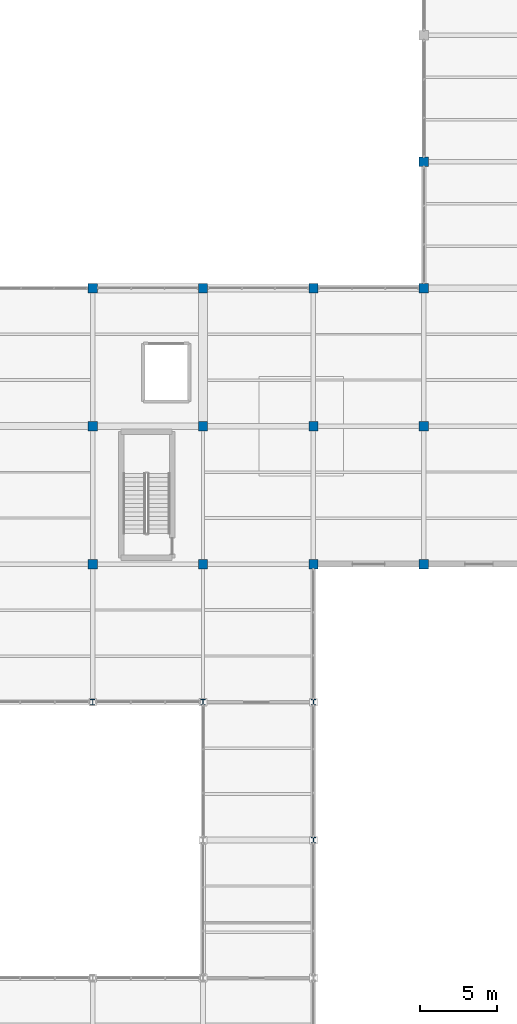
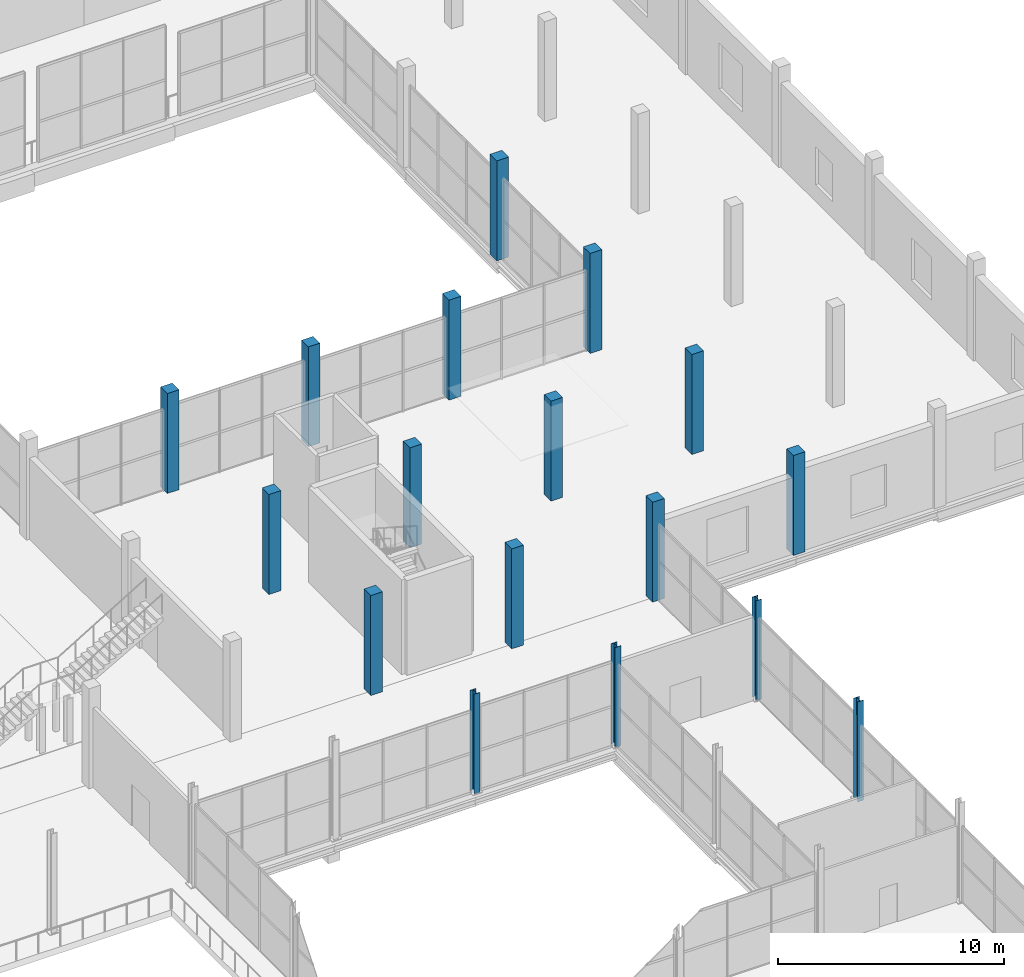
# One storey, part 10 of 141: 17 columns.
"""IFC4 building model written with IfcOpenShell, lengths in metres."""

from ifc_helpers import new_model, si_unit, direction, frame, origin, origin_2d, place, context, subcontext, project, spatial, rectangle, i_section, extrude, material, material_profile, profile_set, type_object, element, save


model = new_model("IFC4")

# Units and contexts
model_context = context("Model", 3, precision=1e-05, world=origin(), true_north=direction((0.0, 1.0)))
body_context = subcontext(model_context, "Body", "Model", "MODEL_VIEW")
ifc_project = project(units=[si_unit("LENGTHUNIT", "METRE"), si_unit("AREAUNIT", "SQUARE_METRE"), si_unit("VOLUMEUNIT", "CUBIC_METRE"), si_unit("PLANEANGLEUNIT", "RADIAN"), si_unit("MASSUNIT", "GRAM", prefix="KILO")], contexts=[model_context])

# Site, building, storey
site_placement = place(None, origin())
site = spatial("IfcSite", under=ifc_project, at=site_placement, CompositionType="ELEMENT")
building_placement = place(site_placement, origin())
building = spatial("IfcBuilding", under=site, at=building_placement, Name="Sundgate Opera House", CompositionType="ELEMENT")
storey_placement = place(building_placement, frame((0.0, 0.0, 11.39990234375)))
storey = spatial("IfcBuildingStorey", under=building, at=storey_placement, Name="L02", CompositionType="ELEMENT", Elevation=11.39990234375)

# Columns
ifc_material_1 = material(Name="Concrete C35/45", Category="concrete")
ifc_material_profile_1 = material_profile(ifc_material_1, rectangle(XDim=0.60009765625, YDim=0.60009765625, at=origin_2d()), Name="RC 600x600")
ifc_profile_set_1 = profile_set([ifc_material_profile_1], Name="Concrete C35/45")
column_type_1 = type_object("IfcColumnType", Name="CL-RC-600", PredefinedType="COLUMN", material=ifc_profile_set_1)
for number, where, z_axis, x_axis, name in (
    (1, (131.39990234375, 69.0, 0.0), (0.0, 0.0, 1.0), (1.0, 0.0, 0.0), "L02 Column C0974"),
    (2, (131.39990234375, 78.0, 0.0), (0.0, 0.0, 1.0), (1.0, 0.0, 0.0), "L02 Column C0980"),
    (3, (131.39990234375, 87.0, 0.0), (0.0, 0.0, 1.0), (1.0, 0.0, 0.0), "L02 Column C0986"),
    (4, (138.60009765625, 69.0, 0.0), (0.0, 0.0, 1.0), (1.0, 0.0, 0.0), "L02 Column C1028"),
    (5, (138.60009765625, 78.0, 0.0), (0.0, 0.0, 1.0), (1.0, 0.0, 0.0), "L02 Column C1034"),
    (6, (138.60009765625, 87.0, 0.0), (0.0, 0.0, 1.0), (1.0, 0.0, 0.0), "L02 Column C1040"),
    (7, (145.800048828125, 69.0, 0.0), (0.0, 0.0, 1.0), (1.0, 0.0, 0.0), "L02 Column C1082"),
    (8, (145.800048828125, 78.0, 0.0), (0.0, 0.0, 1.0), (1.0, 0.0, 0.0), "L02 Column C1088"),
    (9, (145.800048828125, 87.0, 0.0), (0.0, 0.0, 1.0), (1.0, 0.0, 0.0), "L02 Column C1094"),
    (10, (153.0, 69.0, 0.0), (0.0, 0.0, 1.0), (1.0, 0.0, 0.0), "L02 Column C1125"),
    (11, (153.0, 78.0, 0.0), (0.0, 0.0, 1.0), (1.0, 0.0, 0.0), "L02 Column C1129"),
    (12, (153.0, 87.0, 0.0), (0.0, 0.0, 1.0), (1.0, 0.0, 0.0), "L02 Column C1133"),
    (13, (153.0, 95.25, 0.0), (0.0, 0.0, 1.0), (1.0, 0.0, 0.0), "L02 Column C1137"),
):
    element("IfcColumn", number, at=place(storey_placement, frame(where, z_axis=z_axis, x_axis=x_axis)), inside=storey, type_object=column_type_1, Name=name, PredefinedType="COLUMN", context=body_context, shape_type="SweptSolid", body=[
        extrude(rectangle(XDim=0.60009765625, YDim=0.60009765625, at=origin_2d()), origin(), (0.0, 0.0, 1.0), 5.400146484375),
    ])
ifc_material_2 = material(Name="Steel S355J2", Category="steel")
ifc_material_profile_2 = material_profile(ifc_material_2, i_section(OverallWidth=0.300048828125, OverallDepth=0.360107421875, WebThickness=0.012451171875, FlangeThickness=0.0224609375, at=origin_2d()), Name="HEB 360")
ifc_profile_set_2 = profile_set([ifc_material_profile_2], Name="Steel S355J2")
column_type_2 = type_object("IfcColumnType", Name="CL-STL-360", PredefinedType="COLUMN", material=ifc_profile_set_2)
for number, where, z_axis, x_axis, name in (
    (14, (131.39990234375, 60.0, 0.0), (0.0, 0.0, 1.0), (1.0, 0.0, 0.0), "L02 Column C0970"),
    (15, (138.60009765625, 60.0, 0.0), (0.0, 0.0, 1.0), (1.0, 0.0, 0.0), "L02 Column C1024"),
    (16, (145.800048828125, 51.0, 0.0), (0.0, 0.0, 1.0), (1.0, 0.0, 0.0), "L02 Column C1074"),
    (17, (145.800048828125, 60.0, 0.0), (0.0, 0.0, 1.0), (1.0, 0.0, 0.0), "L02 Column C1078"),
):
    element("IfcColumn", number, at=place(storey_placement, frame(where, z_axis=z_axis, x_axis=x_axis)), inside=storey, type_object=column_type_2, Name=name, PredefinedType="COLUMN", context=body_context, shape_type="SweptSolid", body=[
        extrude(i_section(OverallWidth=0.300048828125, OverallDepth=0.360107421875, WebThickness=0.012451171875, FlangeThickness=0.0224609375, at=origin_2d()), origin(), (0.0, 0.0, 1.0), 5.400146484375),
    ])

save(model, "model.ifc")
